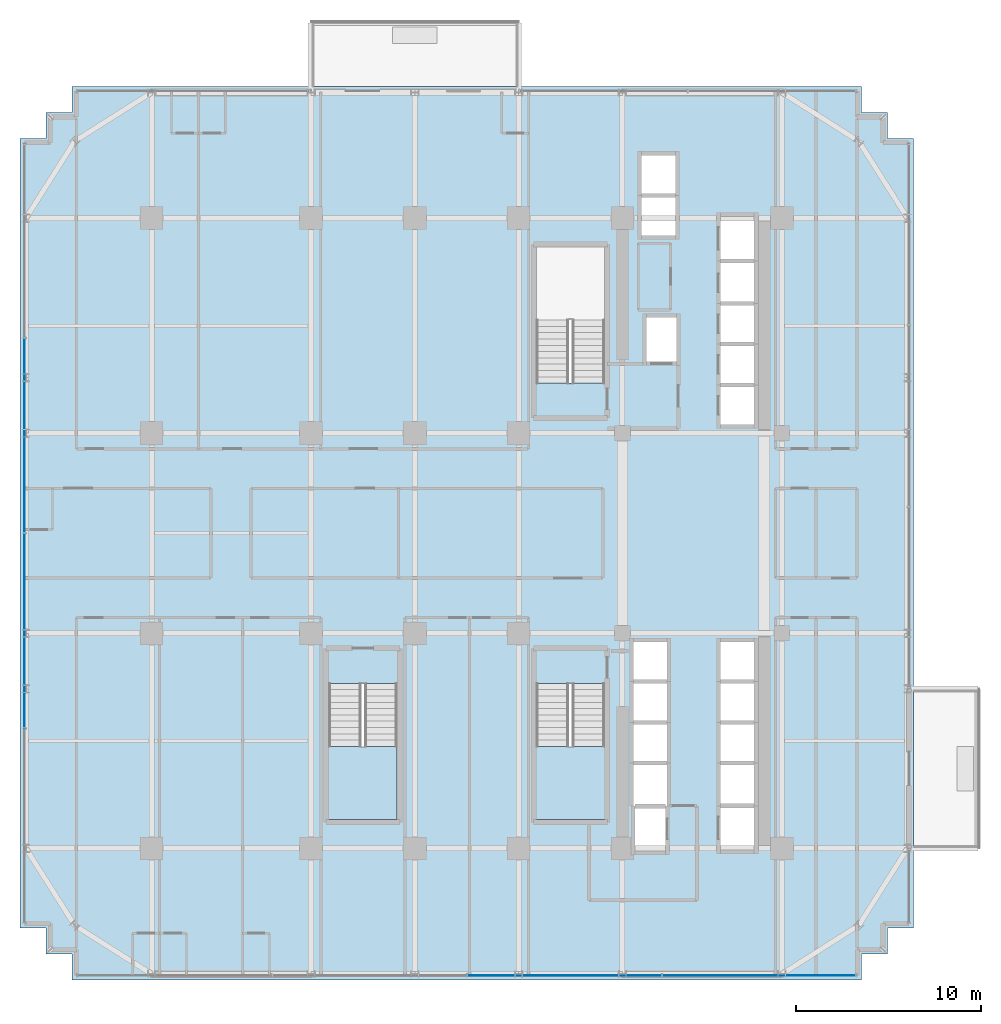
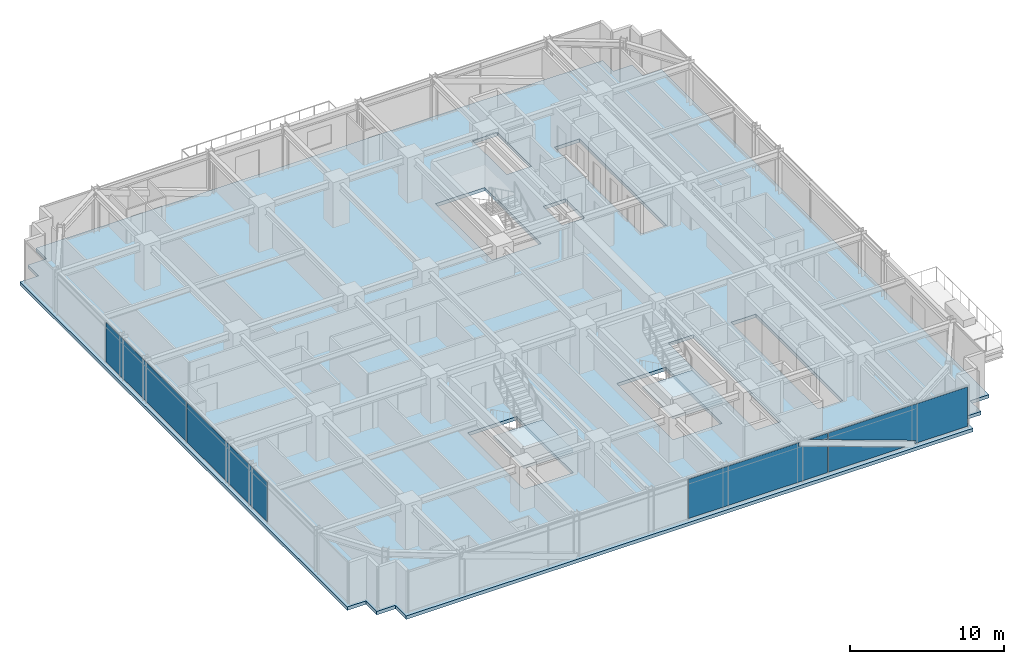
# One storey, part 27 of 41: 4 plates, 3 slabs, 4 elements without a shape of their own.
"""IFC4 building model written with IfcOpenShell, lengths in metres."""

from ifc_helpers import new_model, si_unit, direction, frame, origin, origin_2d, place, context, subcontext, project, spatial, polyline, rectangle, outline, extrude, source, transform, mapped, material, layer, layer_set, type_object, element, aggregate, save


model = new_model("IFC4")

# Units and contexts
model_context = context("Model", 3, precision=1e-05, world=origin(), true_north=direction((0.0, 1.0)))
body_context = subcontext(model_context, "Body", "Model", "MODEL_VIEW")
ifc_project = project(units=[si_unit("LENGTHUNIT", "METRE"), si_unit("AREAUNIT", "SQUARE_METRE"), si_unit("VOLUMEUNIT", "CUBIC_METRE"), si_unit("PLANEANGLEUNIT", "RADIAN"), si_unit("MASSUNIT", "GRAM", prefix="KILO")], contexts=[model_context])

# Site, building, storey
site_placement = place(None, origin())
site = spatial("IfcSite", under=ifc_project, at=site_placement, CompositionType="ELEMENT")
building_placement = place(site_placement, origin())
building = spatial("IfcBuilding", under=site, at=building_placement, Name="Nahalor Promenade Grand Hotel", CompositionType="ELEMENT")
storey_placement = place(building_placement, frame((0.0, 0.0, 113.85009765625)))
storey = spatial("IfcBuildingStorey", under=building, at=storey_placement, Name="L28", CompositionType="ELEMENT", Elevation=113.85009765625)

# Curtain wall, plates
ifc_material_1 = material(Name="Anodised Bronze Aluminium EN AW-6063 T6", Category="aluminium")
curtain_wall_type = type_object("IfcCurtainWallType", Name="CW2 Typical Hotel Flush Bronze Unitised Curtain Wall", PredefinedType="USERDEFINED", material=ifc_material_1)
curtain_wall_1_placement = place(storey_placement, origin())
curtain_wall_1 = element("IfcCurtainWall", 1, at=curtain_wall_1_placement, inside=storey, type_object=curtain_wall_type, Name="L28 Curtain Wall CW-L28-S-1", ObjectType="UNITISED_CURTAIN_WALL", PredefinedType="USERDEFINED")
ifc_material_2 = material(Name="Low-E Laminated Solar Glass", Category="glass")
ifc_layer_1 = layer(ifc_material_2, 0.028076171875)
ifc_layer_set_1 = layer_set([ifc_layer_1], Name="Low-E Laminated Solar Glass")
plate_type = type_object("IfcPlateType", Name="CWP2 Bronze Low-E Vision IGU 28mm", PredefinedType="CURTAIN_PANEL", material=ifc_layer_set_1)
plate_1_placement = place(storey_placement, frame((5.264892578125, -23.860107421875, 0.1298828125), z_axis=(0.0, 0.0, 1.0), x_axis=(1.0, 0.0, 0.0)))
plate_1 = element("IfcPlate", 2, at=plate_1_placement, type_object=plate_type, Name="CW-L28-S-1 Glazing Panel 2-0", PredefinedType="CURTAIN_PANEL", context=body_context, shape_type="SweptSolid", body=[
    extrude(outline(polyline([(-5.232421875, 0.0), (5.232421875, 0.0), (5.232421875, 2.083251953125), (3.027099609375, 2.873046875), (3.11572265625, 3.1201171875), (-5.232421875, 3.1201171875), (-5.232421875, 0.0)])), frame((0.0, 0.01416015625, 0.0), z_axis=(0.0, -1.0, 0.0), x_axis=(1.0, 0.0, 0.0)), (0.0, 0.0, 1.0), 0.028076171875),
    extrude(outline(polyline([(5.232421875, 2.6142578125), (5.232421875, 3.1201171875), (3.820556640625, 3.1201171875), (5.232421875, 2.6142578125)])), frame((0.0, 0.01416015625, 0.0), z_axis=(0.0, -1.0, 0.0), x_axis=(1.0, 0.0, 0.0)), (0.0, 0.0, 1.0), 0.028076171875),
])
plate_2_placement = place(storey_placement, frame((15.77880859375, -23.860107421875, 0.1298828125), z_axis=(0.0, 0.0, 1.0), x_axis=(1.0, 0.0, 0.0)))
plate_2 = element("IfcPlate", 3, at=plate_2_placement, type_object=plate_type, Name="CW-L28-S-1 Glazing Panel 3-0", PredefinedType="CURTAIN_PANEL", context=body_context, shape_type="SweptSolid", body=[
    extrude(outline(polyline([(5.21630859375, 3.1201171875), (-5.21630859375, 3.1201171875), (-5.21630859375, 2.591064453125), (1.3291015625, 0.246826171875), (1.24072265625, 0.0), (5.21630859375, 0.0), (5.21630859375, 3.1201171875)])), frame((0.0, 0.01416015625, 0.0), z_axis=(0.0, -1.0, 0.0), x_axis=(1.0, 0.0, 0.0)), (0.0, 0.0, 1.0), 0.028076171875),
    extrude(outline(polyline([(-5.21630859375, 2.06005859375), (-5.21630859375, 0.0), (0.53564453125, 0.0), (-5.21630859375, 2.06005859375)])), frame((0.0, 0.01416015625, 0.0), z_axis=(0.0, -1.0, 0.0), x_axis=(1.0, 0.0, 0.0)), (0.0, 0.0, 1.0), 0.028076171875),
])
aggregate(curtain_wall_1, [plate_1, plate_2])

# Stair, slab
ifc_material_3 = material(Name="Concrete B-50 (C40/50)", Category="concrete")
stair_type_1 = type_object("IfcStairType", Name="Stair-ST2", PredefinedType="HALF_TURN_STAIR", material=ifc_material_3)
stair_1_placement = place(storey_placement, origin())
stair_1 = element("IfcStair", 4, at=stair_1_placement, inside=storey, type_object=stair_type_1, Name="L28 ST2", PredefinedType="HALF_TURN_STAIR")
ifc_layer_2 = layer(ifc_material_3, 0.2099609375)
ifc_layer_set_2 = layer_set([ifc_layer_2], Name="Concrete B-50 (C40/50)")
slab_type_1 = type_object("IfcSlabType", Name="Landing-ST2", PredefinedType="LANDING", material=ifc_layer_set_2)
slab_1_placement = place(storey_placement, frame((0.0, 0.0, 1.614990234375)))
slab_1 = element("IfcSlab", 5, at=slab_1_placement, type_object=slab_type_1, Name="ST2 landing 1", PredefinedType="LANDING", context=body_context, shape_type="SweptSolid", body=[
    extrude(outline(polyline([(3.75, -11.5), (3.75, -15.449951171875), (7.449951171875, -15.449951171875), (7.449951171875, -11.5), (3.75, -11.5)])), origin(), (0.0, 0.0, 1.0), 0.2099609375),
])
aggregate(stair_1, [slab_1])

stair_type_2 = type_object("IfcStairType", Name="Stair-ST3", PredefinedType="HALF_TURN_STAIR", material=ifc_material_3)
stair_2_placement = place(storey_placement, origin())
stair_2 = element("IfcStair", 6, at=stair_2_placement, inside=storey, type_object=stair_type_2, Name="L28 ST3", PredefinedType="HALF_TURN_STAIR")
ifc_layer_3 = layer(ifc_material_3, 0.219970703125)
ifc_layer_set_3 = layer_set([ifc_layer_3], Name="Concrete B-50 (C40/50)")
slab_type_2 = type_object("IfcSlabType", Name="Landing-ST3", PredefinedType="LANDING", material=ifc_layer_set_3)
slab_2_placement = place(storey_placement, frame((0.0, 0.0, 1.60498046875)))
slab_2 = element("IfcSlab", 7, at=slab_2_placement, type_object=slab_type_2, Name="ST3 landing 1", PredefinedType="LANDING", context=body_context, shape_type="SweptSolid", body=[
    extrude(outline(polyline([(-7.449951171875, -11.5), (-7.449951171875, -15.449951171875), (-3.75, -15.449951171875), (-3.75, -11.5), (-7.449951171875, -11.5)])), origin(), (0.0, 0.0, 1.0), 0.219970703125),
])
aggregate(stair_2, [slab_2])

# Slab
ifc_layer_4 = layer(ifc_material_3, 0.27001953125)
ifc_layer_set_4 = layer_set([ifc_layer_4], Name="Concrete B-50 (C40/50)")
slab_type_3 = type_object("IfcSlabType", Name="Slab-TowerZ2-270", PredefinedType="FLOOR", material=ifc_layer_set_4)
slab_3_placement = place(storey_placement, frame((0.0, 0.0, -0.27001953125)))
element("IfcSlab", 8, at=slab_3_placement, inside=storey, type_object=slab_type_3, Name="L28 Suspended Structural Floor Slab", PredefinedType="FLOOR", context=body_context, shape_type="SweptSolid", body=[
    extrude(outline(polyline([(-21.300048828125, -24.10009765625), (21.300048828125, -24.10009765625), (21.300048828125, -22.699951171875), (22.699951171875, -22.699951171875), (22.699951171875, -21.300048828125), (24.10009765625, -21.300048828125), (24.10009765625, 21.300048828125), (22.699951171875, 21.300048828125), (22.699951171875, 22.699951171875), (21.300048828125, 22.699951171875), (21.300048828125, 24.10009765625), (-21.300048828125, 24.10009765625), (-21.300048828125, 22.699951171875), (-22.699951171875, 22.699951171875), (-22.699951171875, 21.300048828125), (-24.10009765625, 21.300048828125), (-24.10009765625, -21.300048828125), (-22.699951171875, -21.300048828125), (-22.699951171875, -22.699951171875), (-21.300048828125, -22.699951171875), (-21.300048828125, -24.10009765625)]), holes=[polyline([(3.75, 8.10009765625), (7.449951171875, 8.10009765625), (7.449951171875, 15.449951171875), (3.75, 15.449951171875), (3.75, 8.10009765625)]), polyline([(3.75, -15.449951171875), (7.449951171875, -15.449951171875), (7.449951171875, -8.10009765625), (3.75, -8.10009765625), (3.75, -15.449951171875)]), polyline([(-7.449951171875, -15.449951171875), (-3.75, -15.449951171875), (-3.75, -8.10009765625), (-7.449951171875, -8.10009765625), (-7.449951171875, -15.449951171875)]), polyline([(13.659912109375, 5.81005859375), (15.5400390625, 5.81005859375), (15.5400390625, 17.139892578125), (13.659912109375, 17.139892578125), (13.659912109375, 5.81005859375)]), polyline([(13.659912109375, -17.139892578125), (15.5400390625, -17.139892578125), (15.5400390625, -5.81005859375), (13.659912109375, -5.81005859375), (13.659912109375, -17.139892578125)]), polyline([(8.9599609375, -17.18994140625), (10.840087890625, -17.18994140625), (10.840087890625, -5.81005859375), (8.9599609375, -5.81005859375), (8.9599609375, -17.18994140625)]), polyline([(9.409912109375, 16.010009765625), (11.2900390625, 16.010009765625), (11.2900390625, 20.43994140625), (9.409912109375, 20.43994140625), (9.409912109375, 16.010009765625)]), polyline([(9.659912109375, 9.2099609375), (11.340087890625, 9.2099609375), (11.340087890625, 11.68994140625), (9.659912109375, 11.68994140625), (9.659912109375, 9.2099609375)])]), origin(), (0.0, 0.0, 1.0), 0.27001953125),
])

# Curtain wall, plates
curtain_wall_2_placement = place(storey_placement, origin())
curtain_wall_2 = element("IfcCurtainWall", 9, at=curtain_wall_2_placement, inside=storey, type_object=curtain_wall_type, Name="L28 Curtain Wall CW-L28-W-1", ObjectType="UNITISED_CURTAIN_WALL", PredefinedType="USERDEFINED")
shared_shape = source(origin(), body_context, "Body", "SweptSolid", [
    extrude(rectangle(XDim=10.465087890625, YDim=0.028076171875, at=origin_2d()), origin(), (0.0, 0.0, 1.0), 3.1201171875),
])
plate_3_placement = place(storey_placement, frame((-23.860107421875, -5.264892578125, 0.1298828125), z_axis=(0.0, 0.0, 1.0), x_axis=(0.0, 1.0, 0.0)))
plate_3 = element("IfcPlate", 10, at=plate_3_placement, type_object=plate_type, Name="CW-L28-W-1 Glazing Panel 1-0", PredefinedType="CURTAIN_PANEL", context=body_context, shape_type="MappedRepresentation", body=[
    mapped(shared_shape, transform((0.0, 0.0, 0.0), scale=1.0)),
])
plate_4_placement = place(storey_placement, frame((-23.860107421875, 5.264892578125, 0.1298828125), z_axis=(0.0, 0.0, 1.0), x_axis=(0.0, 1.0, 0.0)))
plate_4 = element("IfcPlate", 11, at=plate_4_placement, type_object=plate_type, Name="CW-L28-W-1 Glazing Panel 2-0", PredefinedType="CURTAIN_PANEL", context=body_context, shape_type="MappedRepresentation", body=[
    mapped(shared_shape, transform((0.0, 0.0, 0.0), scale=1.0)),
])
aggregate(curtain_wall_2, [plate_3, plate_4])

save(model, "model.ifc")
